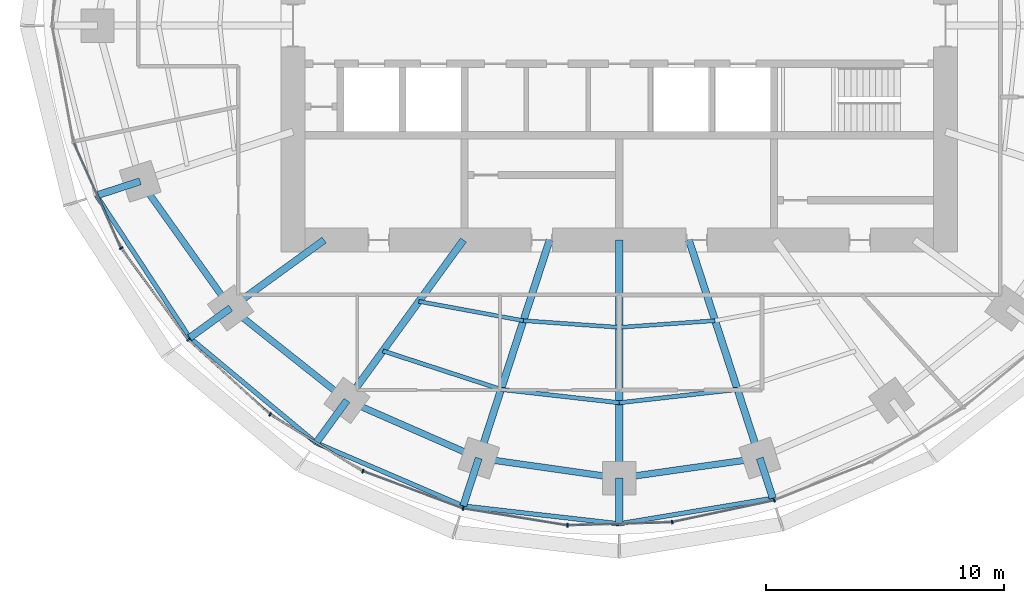
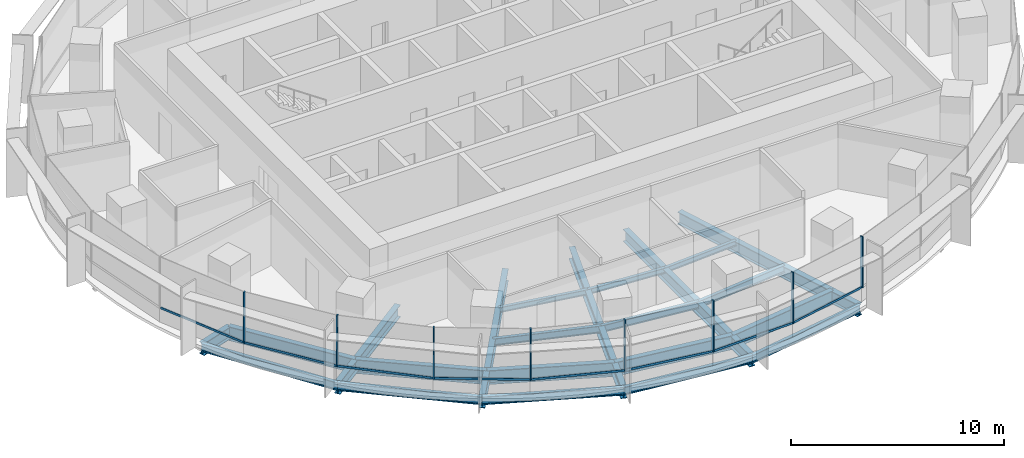
# One storey, part 2 of 14: 27 beams, 16 members, 2 elements without a shape of their own.
"""IFC4 building model written with IfcOpenShell, lengths in metres."""

from ifc_helpers import new_model, si_unit, direction, frame, origin, origin_2d, place, context, subcontext, project, spatial, rectangle, i_section, extrude, material, material_profile, profile_set, type_object, element, aggregate, save


model = new_model("IFC4")

# Units and contexts
model_context = context("Model", 3, precision=1e-05, world=origin(), true_north=direction((0.0, 1.0)))
body_context = subcontext(model_context, "Body", "Model", "MODEL_VIEW")
ifc_project = project(units=[si_unit("LENGTHUNIT", "METRE"), si_unit("AREAUNIT", "SQUARE_METRE"), si_unit("VOLUMEUNIT", "CUBIC_METRE"), si_unit("PLANEANGLEUNIT", "RADIAN"), si_unit("MASSUNIT", "GRAM", prefix="KILO")], contexts=[model_context])

# Site, building, storey
site_placement = place(None, origin())
site = spatial("IfcSite", under=ifc_project, at=site_placement, CompositionType="ELEMENT")
building_placement = place(site_placement, origin())
building = spatial("IfcBuilding", under=site, at=building_placement, Name="Marramba Exchange Tower", CompositionType="ELEMENT")
storey_placement = place(building_placement, frame((0.0, 0.0, 199.39990234375)))
storey = spatial("IfcBuildingStorey", under=building, at=storey_placement, Name="L48", CompositionType="ELEMENT", Elevation=199.39990234375)

# Beams
ifc_material_1 = material(Name="Steel AS/NZS 3679.2 grade 300", Category="steel")
ifc_material_profile_1 = material_profile(ifc_material_1, i_section(OverallWidth=0.300048828125, OverallDepth=0.699951171875, WebThickness=0.010009765625, FlangeThickness=0.031982421875, at=origin_2d()), Name="700WB173")
ifc_profile_set_1 = profile_set([ifc_material_profile_1], Name="Steel AS/NZS 3679.2 grade 300")
beam_type_1 = type_object("IfcBeamType", Name="Cantilever girder 700WB173", PredefinedType="BEAM", material=ifc_profile_set_1)
beam_1_placement = place(storey_placement, frame((-20.109375, -6.533935546875, -0.510009765625), z_axis=(-0.951071238541, -0.308971680287, 0.0), x_axis=(0.308971680287, -0.951071238541, 0.0)))
element("IfcBeam", 1, at=beam_1_placement, inside=storey, type_object=beam_type_1, Name="Cantilever girder L48 TC12", PredefinedType="BEAM", context=body_context, shape_type="SweptSolid", body=[
    extrude(i_section(OverallWidth=0.300048828125, OverallDepth=0.699951171875, WebThickness=0.010009765625, FlangeThickness=0.031982421875, at=origin_2d()), origin(), (0.0, 0.0, 1.0), 1.930419921875),
])
beam_2_placement = place(storey_placement, frame((-16.3154296875, -11.853759765625, -0.510009765625), z_axis=(-0.808969966943, -0.587849974555, 0.0), x_axis=(0.587849974555, -0.808969966943, 0.0)))
element("IfcBeam", 2, at=beam_2_placement, inside=storey, type_object=beam_type_1, Name="Cantilever girder L48 TC13", PredefinedType="BEAM", context=body_context, shape_type="SweptSolid", body=[
    extrude(i_section(OverallWidth=0.300048828125, OverallDepth=0.699951171875, WebThickness=0.010009765625, FlangeThickness=0.031982421875, at=origin_2d()), origin(), (0.0, 0.0, 1.0), 2.12109375),
])
beam_3_placement = place(storey_placement, frame((-11.430419921875, -15.732666015625, -0.510009765625), z_axis=(-0.587789596657, -0.809013837992, 0.0), x_axis=(0.809013837992, -0.587789596657, 0.0)))
element("IfcBeam", 3, at=beam_3_placement, inside=storey, type_object=beam_type_1, Name="Cantilever girder L48 TC14", PredefinedType="BEAM", context=body_context, shape_type="SweptSolid", body=[
    extrude(i_section(OverallWidth=0.300048828125, OverallDepth=0.699951171875, WebThickness=0.010009765625, FlangeThickness=0.031982421875, at=origin_2d()), origin(), (0.0, 0.0, 1.0), 2.203857421875),
])
beam_4_placement = place(storey_placement, frame((-5.899658203125, -18.156982421875, -0.510009765625), z_axis=(-0.308971068529, -0.951071437281, 0.0), x_axis=(0.951071437281, -0.308971068529, 0.0)))
element("IfcBeam", 4, at=beam_4_placement, inside=storey, type_object=beam_type_1, Name="Cantilever girder L48 TC15", PredefinedType="BEAM", context=body_context, shape_type="SweptSolid", body=[
    extrude(i_section(OverallWidth=0.300048828125, OverallDepth=0.699951171875, WebThickness=0.010009765625, FlangeThickness=0.031982421875, at=origin_2d()), origin(), (0.0, 0.0, 1.0), 2.112060546875),
])
beam_5_placement = place(storey_placement, frame((0.0, -18.99609375, -0.510009765625), z_axis=(0.0, -1.0, 0.0), x_axis=(1.0, 0.0, 0.0)))
element("IfcBeam", 5, at=beam_5_placement, inside=storey, type_object=beam_type_1, Name="Cantilever girder L48 TC16", PredefinedType="BEAM", context=body_context, shape_type="SweptSolid", body=[
    extrude(i_section(OverallWidth=0.300048828125, OverallDepth=0.699951171875, WebThickness=0.010009765625, FlangeThickness=0.031982421875, at=origin_2d()), origin(), (0.0, 0.0, 1.0), 1.917724609375),
])
beam_6_placement = place(storey_placement, frame((5.899658203125, -18.156982421875, -0.510009765625), z_axis=(0.308926813415, -0.951085813138, 0.0), x_axis=(0.951085813138, 0.308926813415, 0.0)))
element("IfcBeam", 6, at=beam_6_placement, inside=storey, type_object=beam_type_1, Name="Cantilever girder L48 TC17", PredefinedType="BEAM", context=body_context, shape_type="SweptSolid", body=[
    extrude(i_section(OverallWidth=0.300048828125, OverallDepth=0.699951171875, WebThickness=0.010009765625, FlangeThickness=0.031982421875, at=origin_2d()), origin(), (0.0, 0.0, 1.0), 1.767822265625),
])
ifc_material_2 = material(Name="Steel AS/NZS 3679.1 grade 300", Category="steel")
ifc_material_profile_2 = material_profile(ifc_material_2, i_section(OverallWidth=0.166015625, OverallDepth=0.306884765625, WebThickness=0.006591796875, FlangeThickness=0.01171875, FilletRadius=0.011474609375, at=origin_2d()), Name="310UB46.2")
ifc_profile_set_2 = profile_set([ifc_material_profile_2], Name="Steel AS/NZS 3679.1 grade 300")
beam_type_2 = type_object("IfcBeamType", Name="Floor joist 310UB46.2", PredefinedType="JOIST", material=ifc_profile_set_2)
beam_7_placement = place(storey_placement, frame((-8.41162109375, -11.57763671875, -0.3134765625), z_axis=(0.983455754421, -0.181148500119, 0.0), x_axis=(0.181148500119, 0.983455754421, 0.0)))
element("IfcBeam", 7, at=beam_7_placement, inside=storey, type_object=beam_type_2, Name="Joist L48 bay 14 row 1", PredefinedType="JOIST", context=body_context, shape_type="SweptSolid", body=[
    extrude(i_section(OverallWidth=0.166015625, OverallDepth=0.306884765625, WebThickness=0.006591796875, FlangeThickness=0.01171875, FilletRadius=0.011474609375, at=origin_2d()), origin(), (0.0, 0.0, 1.0), 4.4609375),
])
for number, where, z_axis, x_axis, name in (
    (8, (-4.0244140625, -12.3857421875, -0.3134765625), (0.99759625901, -0.069294328838, 0.0), (0.069294328838, 0.99759625901, 0.0), "Joist L48 bay 15 row 1"),
    (9, (0.0, -12.665283203125, -0.3134765625), (0.99759625901, 0.069294328838, 0.0), (-0.069294328838, 0.99759625901, 0.0), "Joist L48 bay 16 row 1"),
):
    element("IfcBeam", number, at=place(storey_placement, frame(where, z_axis=z_axis, x_axis=x_axis)), inside=storey, type_object=beam_type_2, Name=name, PredefinedType="JOIST", context=body_context, shape_type="SweptSolid", body=[
        extrude(i_section(OverallWidth=0.166015625, OverallDepth=0.306884765625, WebThickness=0.006591796875, FlangeThickness=0.01171875, FilletRadius=0.011474609375, at=origin_2d()), origin(), (0.0, 0.0, 1.0), 4.0341796875),
    ])
ifc_material_profile_3 = material_profile(ifc_material_2, i_section(OverallWidth=0.177978515625, OverallDepth=0.406005859375, WebThickness=0.0078125, FlangeThickness=0.0126953125, FilletRadius=0.011474609375, at=origin_2d()), Name="410UB59.7")
ifc_profile_set_3 = profile_set([ifc_material_profile_3], Name="Steel AS/NZS 3679.1 grade 300")
beam_type_3 = type_object("IfcBeamType", Name="Floor joist 410UB59.7", PredefinedType="JOIST", material=ifc_profile_set_3)
beam_8_placement = place(storey_placement, frame((-9.9208984375, -13.655029296875, -0.36279296875), z_axis=(0.950764024931, -0.309915744834, 0.0), x_axis=(0.309915744834, 0.950764024931, 0.0)))
element("IfcBeam", 10, at=beam_8_placement, inside=storey, type_object=beam_type_3, Name="Joist L48 bay 14 row 2", PredefinedType="JOIST", context=body_context, shape_type="SweptSolid", body=[
    extrude(i_section(OverallWidth=0.177978515625, OverallDepth=0.406005859375, WebThickness=0.0078125, FlangeThickness=0.0126953125, FilletRadius=0.011474609375, at=origin_2d()), origin(), (0.0, 0.0, 1.0), 5.2158203125),
])
for number, where, z_axis, x_axis, name in (
    (11, (-4.9619140625, -15.271484375, -0.36279296875), (0.993712018573, -0.111966174106, 0.0), (0.111966174106, 0.993712018573, 0.0), "Joist L48 bay 15 row 2"),
    (12, (0.0, -15.83056640625, -0.36279296875), (0.993712018573, 0.111966174106, 0.0), (-0.111966174106, 0.993712018573, 0.0), "Joist L48 bay 16 row 2"),
):
    element("IfcBeam", number, at=place(storey_placement, frame(where, z_axis=z_axis, x_axis=x_axis)), inside=storey, type_object=beam_type_3, Name=name, PredefinedType="JOIST", context=body_context, shape_type="SweptSolid", body=[
        extrude(i_section(OverallWidth=0.177978515625, OverallDepth=0.406005859375, WebThickness=0.0078125, FlangeThickness=0.0126953125, FilletRadius=0.011474609375, at=origin_2d()), origin(), (0.0, 0.0, 1.0), 4.993408203125),
    ])

# Curtain wall, members
ifc_material_3 = material(Name="Aluminium framing, bronze anodised", Category="aluminium")
curtain_wall_type = type_object("IfcCurtainWallType", Name="Office ribbon curtain wall", PredefinedType="USERDEFINED", material=ifc_material_3)
curtain_wall_1_placement = place(storey_placement, origin())
curtain_wall_1 = element("IfcCurtainWall", 13, at=curtain_wall_1_placement, inside=storey, type_object=curtain_wall_type, Name="Curtain wall CW4 L48 F16-F20", ObjectType="RIBBON CURTAIN WALL", PredefinedType="USERDEFINED")
ifc_material_4 = material(Name="Aluminium mullion, bronze anodised", Category="aluminium")
ifc_material_profile_4 = material_profile(ifc_material_4, rectangle(XDim=0.159912109375, YDim=0.06005859375, at=origin_2d()), Name="CW4 mullion 60x160")
ifc_profile_set_4 = profile_set([ifc_material_profile_4], Name="Aluminium mullion, bronze anodised")
member_type_1 = type_object("IfcMemberType", Name="Office ribbon curtain wall mullion", PredefinedType="MULLION", material=ifc_profile_set_4)
member_1_placement = place(storey_placement, frame((-20.910400390625, -9.342041015625, 0.800048828125), z_axis=(0.0, 0.0, 1.0), x_axis=(0.806508054547, 0.591223103363, 0.0)))
member_1 = element("IfcMember", 14, at=member_1_placement, type_object=member_type_1, Name="CW4 mullion 1", PredefinedType="MULLION", context=body_context, shape_type="SweptSolid", body=[
    extrude(rectangle(XDim=0.159912109375, YDim=0.06005859375, at=origin_2d()), origin(), (0.0, 0.0, 1.0), 2.93994140625),
])
member_2_placement = place(storey_placement, frame((-18.090087890625, -13.179443359375, 0.800048828125), z_axis=(0.0, 0.0, 1.0), x_axis=(0.67567103474, 0.737203264245, 0.0)))
member_2 = element("IfcMember", 15, at=member_2_placement, type_object=member_type_1, Name="CW4 mullion 1", PredefinedType="MULLION", context=body_context, shape_type="SweptSolid", body=[
    extrude(rectangle(XDim=0.159912109375, YDim=0.06005859375, at=origin_2d()), origin(), (0.0, 0.0, 1.0), 2.93994140625),
])
member_3_placement = place(storey_placement, frame((-14.655029296875, -16.320068359375, 0.800048828125), z_axis=(0.0, 0.0, 1.0), x_axis=(0.52305160869, 0.85230101176, 0.0)))
member_3 = element("IfcMember", 16, at=member_3_placement, type_object=member_type_1, Name="CW4 mullion 1", PredefinedType="MULLION", context=body_context, shape_type="SweptSolid", body=[
    extrude(rectangle(XDim=0.159912109375, YDim=0.06005859375, at=origin_2d()), origin(), (0.0, 0.0, 1.0), 2.93994140625),
])

curtain_wall_2_placement = place(storey_placement, origin())
curtain_wall_2 = element("IfcCurtainWall", 17, at=curtain_wall_2_placement, inside=storey, type_object=curtain_wall_type, Name="Curtain wall CW4 L48 F21-F25", ObjectType="RIBBON CURTAIN WALL", PredefinedType="USERDEFINED")
member_4_placement = place(storey_placement, frame((-10.76318359375, -18.70166015625, 0.800048828125), z_axis=(0.0, 0.0, 1.0), x_axis=(0.349459197687, 0.936951583142, 0.0)))
member_4 = element("IfcMember", 18, at=member_4_placement, type_object=member_type_1, Name="CW4 mullion 1", PredefinedType="MULLION", context=body_context, shape_type="SweptSolid", body=[
    extrude(rectangle(XDim=0.159912109375, YDim=0.06005859375, at=origin_2d()), origin(), (0.0, 0.0, 1.0), 2.93994140625),
])
member_5_placement = place(storey_placement, frame((-6.553466796875, -20.265625, 0.800048828125), z_axis=(0.0, 0.0, 1.0), x_axis=(0.161145726194, 0.986930623159, 0.0)))
member_5 = element("IfcMember", 19, at=member_5_placement, type_object=member_type_1, Name="CW4 mullion 1", PredefinedType="MULLION", context=body_context, shape_type="SweptSolid", body=[
    extrude(rectangle(XDim=0.159912109375, YDim=0.06005859375, at=origin_2d()), origin(), (0.0, 0.0, 1.0), 2.93994140625),
])
member_6_placement = place(storey_placement, frame((-2.174560546875, -20.974853515625, 0.800048828125), z_axis=(0.0, 0.0, 1.0), x_axis=(-0.029393451762, 0.99956791915, 0.0)))
member_6 = element("IfcMember", 20, at=member_6_placement, type_object=member_type_1, Name="CW4 mullion 1", PredefinedType="MULLION", context=body_context, shape_type="SweptSolid", body=[
    extrude(rectangle(XDim=0.159912109375, YDim=0.06005859375, at=origin_2d()), origin(), (0.0, 0.0, 1.0), 2.93994140625),
])
member_7_placement = place(storey_placement, frame((2.220458984375, -20.840087890625, 0.800048828125), z_axis=(0.0, 0.0, 1.0), x_axis=(-0.208332456608, 0.978058069607, 0.0)))
member_7 = element("IfcMember", 21, at=member_7_placement, type_object=member_type_1, Name="CW4 mullion 1", PredefinedType="MULLION", context=body_context, shape_type="SweptSolid", body=[
    extrude(rectangle(XDim=0.159912109375, YDim=0.06005859375, at=origin_2d()), origin(), (0.0, 0.0, 1.0), 2.93994140625),
])
member_8_placement = place(storey_placement, frame((6.504638671875, -19.922607421875, 0.800048828125), z_axis=(0.0, 0.0, 1.0), x_axis=(-0.367374724195, 0.93007301435, 0.0)))
member_8 = element("IfcMember", 22, at=member_8_placement, type_object=member_type_1, Name="CW4 mullion 1", PredefinedType="MULLION", context=body_context, shape_type="SweptSolid", body=[
    extrude(rectangle(XDim=0.159912109375, YDim=0.06005859375, at=origin_2d()), origin(), (0.0, 0.0, 1.0), 2.93994140625),
])

# Member
ifc_material_5 = material(Name="Aluminium transom, bronze anodised", Category="aluminium")
ifc_material_profile_5 = material_profile(ifc_material_5, rectangle(XDim=0.06005859375, YDim=0.1201171875, at=origin_2d()), Name="CW4 transom 60x120")
ifc_profile_set_5 = profile_set([ifc_material_profile_5], Name="Aluminium transom, bronze anodised")
member_type_2 = type_object("IfcMemberType", Name="Office ribbon curtain wall transom", PredefinedType="USERDEFINED", material=ifc_profile_set_5)
member_9_placement = place(storey_placement, frame((-22.888671875, -4.925048828125, 0.830078125), z_axis=(0.407541263131, -0.913186792965, 0.0), x_axis=(0.913186792965, 0.407541263131, 0.0)))
member_9 = element("IfcMember", 23, at=member_9_placement, type_object=member_type_2, Name="CW4 sill transom", ObjectType="TRANSOM", PredefinedType="USERDEFINED", context=body_context, shape_type="SweptSolid", body=[
    extrude(rectangle(XDim=0.06005859375, YDim=0.1201171875, at=origin_2d()), origin(), (0.0, 0.0, 1.0), 4.810546875),
])

member_10_placement = place(storey_placement, frame((-20.892578125, -9.3662109375, 0.830078125), z_axis=(0.591226373184, -0.806505657545, 0.0), x_axis=(0.806505657545, 0.591226373184, 0.0)))
member_10 = element("IfcMember", 24, at=member_10_placement, type_object=member_type_2, Name="CW4 sill transom", ObjectType="TRANSOM", PredefinedType="USERDEFINED", context=body_context, shape_type="SweptSolid", body=[
    extrude(rectangle(XDim=0.06005859375, YDim=0.1201171875, at=origin_2d()), origin(), (0.0, 0.0, 1.0), 4.702880859375),
])

member_11_placement = place(storey_placement, frame((-18.06787109375, -13.19970703125, 0.830078125), z_axis=(0.737176195283, -0.675700567639, 0.0), x_axis=(0.675700567639, 0.737176195283, 0.0)))
member_11 = element("IfcMember", 25, at=member_11_placement, type_object=member_type_2, Name="CW4 sill transom", ObjectType="TRANSOM", PredefinedType="USERDEFINED", context=body_context, shape_type="SweptSolid", body=[
    extrude(rectangle(XDim=0.06005859375, YDim=0.1201171875, at=origin_2d()), origin(), (0.0, 0.0, 1.0), 4.5947265625),
])

member_12_placement = place(storey_placement, frame((-14.62939453125, -16.335693359375, 0.830078125), z_axis=(0.852298011003, -0.523056498325, 0.0), x_axis=(0.523056498325, 0.852298011003, 0.0)))
member_12 = element("IfcMember", 26, at=member_12_placement, type_object=member_type_2, Name="CW4 sill transom", ObjectType="TRANSOM", PredefinedType="USERDEFINED", context=body_context, shape_type="SweptSolid", body=[
    extrude(rectangle(XDim=0.06005859375, YDim=0.1201171875, at=origin_2d()), origin(), (0.0, 0.0, 1.0), 4.503173828125),
])

aggregate(curtain_wall_1, [member_9, member_1, member_10, member_2, member_11, member_3, member_12])

member_13_placement = place(storey_placement, frame((-10.735107421875, -18.712158203125, 0.830078125), z_axis=(0.936954830677, -0.349450490444, 0.0), x_axis=(0.349450490444, 0.936954830677, 0.0)))
member_13 = element("IfcMember", 27, at=member_13_placement, type_object=member_type_2, Name="CW4 sill transom", ObjectType="TRANSOM", PredefinedType="USERDEFINED", context=body_context, shape_type="SweptSolid", body=[
    extrude(rectangle(XDim=0.06005859375, YDim=0.1201171875, at=origin_2d()), origin(), (0.0, 0.0, 1.0), 4.431396484375),
])

member_14_placement = place(storey_placement, frame((-6.52392578125, -20.2705078125, 0.830078125), z_axis=(0.986937225488, -0.161105285282, 0.0), x_axis=(0.161105285282, 0.986937225488, 0.0)))
member_14 = element("IfcMember", 28, at=member_14_placement, type_object=member_type_2, Name="CW4 sill transom", ObjectType="TRANSOM", PredefinedType="USERDEFINED", context=body_context, shape_type="SweptSolid", body=[
    extrude(rectangle(XDim=0.06005859375, YDim=0.1201171875, at=origin_2d()), origin(), (0.0, 0.0, 1.0), 4.37646484375),
])

member_15_placement = place(storey_placement, frame((-2.144775390625, -20.973876953125, 0.830078125), z_axis=(0.999568338005, 0.029379204529, 0.0), x_axis=(-0.029379204529, 0.999568338005, 0.0)))
member_15 = element("IfcMember", 29, at=member_15_placement, type_object=member_type_2, Name="CW4 sill transom", ObjectType="TRANSOM", PredefinedType="USERDEFINED", context=body_context, shape_type="SweptSolid", body=[
    extrude(rectangle(XDim=0.06005859375, YDim=0.1201171875, at=origin_2d()), origin(), (0.0, 0.0, 1.0), 4.337890625),
])

member_16_placement = place(storey_placement, frame((2.249755859375, -20.833984375, 0.830078125), z_axis=(0.978057951839, 0.208333009494, 0.0), x_axis=(-0.208333009494, 0.978057951839, 0.0)))
member_16 = element("IfcMember", 30, at=member_16_placement, type_object=member_type_2, Name="CW4 sill transom", ObjectType="TRANSOM", PredefinedType="USERDEFINED", context=body_context, shape_type="SweptSolid", body=[
    extrude(rectangle(XDim=0.06005859375, YDim=0.1201171875, at=origin_2d()), origin(), (0.0, 0.0, 1.0), 4.32177734375),
])

aggregate(curtain_wall_2, [member_4, member_13, member_5, member_14, member_6, member_15, member_7, member_16, member_8])

# Beams
ifc_material_profile_6 = material_profile(ifc_material_1, i_section(OverallWidth=0.300048828125, OverallDepth=0.699951171875, WebThickness=0.010009765625, FlangeThickness=0.031982421875, at=origin_2d()), Name="700WB173")
ifc_profile_set_6 = profile_set([ifc_material_profile_6], Name="Steel AS/NZS 3679.2 grade 300")
beam_type_4 = type_object("IfcBeamType", Name="Radial girder 700WB173", PredefinedType="BEAM", material=ifc_profile_set_6)
beam_9_placement = place(storey_placement, frame((-12.387451171875, -9.0, -0.510009765625), z_axis=(-0.809025189606, -0.58777397236, 0.0), x_axis=(0.58777397236, -0.809025189606, 0.0)))
element("IfcBeam", 31, at=beam_9_placement, inside=storey, type_object=beam_type_4, Name="Radial girder L48 TC13", PredefinedType="BEAM", context=body_context, shape_type="SweptSolid", body=[
    extrude(i_section(OverallWidth=0.300048828125, OverallDepth=0.699951171875, WebThickness=0.010009765625, FlangeThickness=0.031982421875, at=origin_2d()), origin(), (0.0, 0.0, 1.0), 4.855224609375),
])
beam_10_placement = place(storey_placement, frame((-6.538818359375, -9.0, -0.510009765625), z_axis=(-0.587787877172, -0.809015087282, 0.0), x_axis=(0.809015087282, -0.587787877172, 0.0)))
element("IfcBeam", 32, at=beam_10_placement, inside=storey, type_object=beam_type_4, Name="Radial girder L48 TC14", PredefinedType="BEAM", context=body_context, shape_type="SweptSolid", body=[
    extrude(i_section(OverallWidth=0.300048828125, OverallDepth=0.699951171875, WebThickness=0.010009765625, FlangeThickness=0.031982421875, at=origin_2d()), origin(), (0.0, 0.0, 1.0), 8.322021484375),
])
beam_11_placement = place(storey_placement, frame((-2.92431640625, -9.0, -0.510009765625), z_axis=(-0.309022428985, -0.951054750466, 0.0), x_axis=(0.951054750466, -0.309022428985, 0.0)))
element("IfcBeam", 33, at=beam_11_placement, inside=storey, type_object=beam_type_4, Name="Radial girder L48 TC15", PredefinedType="BEAM", context=body_context, shape_type="SweptSolid", body=[
    extrude(i_section(OverallWidth=0.300048828125, OverallDepth=0.699951171875, WebThickness=0.010009765625, FlangeThickness=0.031982421875, at=origin_2d()), origin(), (0.0, 0.0, 1.0), 9.628173828125),
])
beam_12_placement = place(storey_placement, frame((0.0, -9.0, -0.510009765625), z_axis=(0.0, -1.0, 0.0), x_axis=(1.0, 0.0, 0.0)))
element("IfcBeam", 34, at=beam_12_placement, inside=storey, type_object=beam_type_4, Name="Radial girder L48 TC16", PredefinedType="BEAM", context=body_context, shape_type="SweptSolid", body=[
    extrude(i_section(OverallWidth=0.300048828125, OverallDepth=0.699951171875, WebThickness=0.010009765625, FlangeThickness=0.031982421875, at=origin_2d()), origin(), (0.0, 0.0, 1.0), 9.99609375),
])
beam_13_placement = place(storey_placement, frame((2.92431640625, -9.0, -0.510009765625), z_axis=(0.309022428985, -0.951054750466, 0.0), x_axis=(0.951054750466, 0.309022428985, 0.0)))
element("IfcBeam", 35, at=beam_13_placement, inside=storey, type_object=beam_type_4, Name="Radial girder L48 TC17", PredefinedType="BEAM", context=body_context, shape_type="SweptSolid", body=[
    extrude(i_section(OverallWidth=0.300048828125, OverallDepth=0.699951171875, WebThickness=0.010009765625, FlangeThickness=0.031982421875, at=origin_2d()), origin(), (0.0, 0.0, 1.0), 9.628173828125),
])
ifc_material_profile_7 = material_profile(ifc_material_1, i_section(OverallWidth=0.27490234375, OverallDepth=0.800048828125, WebThickness=0.010009765625, FlangeThickness=0.02490234375, at=origin_2d()), Name="800WB168")
ifc_profile_set_7 = profile_set([ifc_material_profile_7], Name="Steel AS/NZS 3679.2 grade 300")
beam_type_5 = type_object("IfcBeamType", Name="Ring beam 800WB168", PredefinedType="SPANDREL", material=ifc_profile_set_7)
beam_14_placement = place(storey_placement, frame((-20.109375, -6.533935546875, -0.559814453125), z_axis=(0.580637181111, -0.814162430914, 0.0), x_axis=(0.814162430914, 0.580637181111, 0.0)))
element("IfcBeam", 36, at=beam_14_placement, inside=storey, type_object=beam_type_5, Name="Ring beam L48 TC12-TC13", PredefinedType="SPANDREL", context=body_context, shape_type="SweptSolid", body=[
    extrude(i_section(OverallWidth=0.27490234375, OverallDepth=0.800048828125, WebThickness=0.010009765625, FlangeThickness=0.02490234375, at=origin_2d()), origin(), (0.0, 0.0, 1.0), 6.5341796875),
])
beam_15_placement = place(storey_placement, frame((-16.3154296875, -11.853759765625, -0.559814453125), z_axis=(0.783139438128, -0.621846138887, 0.0), x_axis=(0.621846138887, 0.783139438128, 0.0)))
element("IfcBeam", 37, at=beam_15_placement, inside=storey, type_object=beam_type_5, Name="Ring beam L48 TC13-TC14", PredefinedType="SPANDREL", context=body_context, shape_type="SweptSolid", body=[
    extrude(i_section(OverallWidth=0.27490234375, OverallDepth=0.800048828125, WebThickness=0.010009765625, FlangeThickness=0.02490234375, at=origin_2d()), origin(), (0.0, 0.0, 1.0), 6.23779296875),
])
beam_16_placement = place(storey_placement, frame((-11.430419921875, -15.732666015625, -0.559814453125), z_axis=(0.915876892158, -0.4014592363, 0.0), x_axis=(0.4014592363, 0.915876892158, 0.0)))
element("IfcBeam", 38, at=beam_16_placement, inside=storey, type_object=beam_type_5, Name="Ring beam L48 TC14-TC15", PredefinedType="SPANDREL", context=body_context, shape_type="SweptSolid", body=[
    extrude(i_section(OverallWidth=0.27490234375, OverallDepth=0.800048828125, WebThickness=0.010009765625, FlangeThickness=0.02490234375, at=origin_2d()), origin(), (0.0, 0.0, 1.0), 6.038818359375),
])
for number, where, z_axis, x_axis, name in (
    (39, (-5.899658203125, -18.156982421875, -0.559814453125), (0.990036163016, -0.140813337152, 0.0), (0.140813337152, 0.990036163016, 0.0), "Ring beam L48 TC15-TC16"),
    (40, (0.0, -18.99609375, -0.559814453125), (0.990036163016, 0.140813337152, 0.0), (-0.140813337152, 0.990036163016, 0.0), "Ring beam L48 TC16-TC17"),
):
    element("IfcBeam", number, at=place(storey_placement, frame(where, z_axis=z_axis, x_axis=x_axis)), inside=storey, type_object=beam_type_5, Name=name, PredefinedType="SPANDREL", context=body_context, shape_type="SweptSolid", body=[
        extrude(i_section(OverallWidth=0.27490234375, OverallDepth=0.800048828125, WebThickness=0.010009765625, FlangeThickness=0.02490234375, at=origin_2d()), origin(), (0.0, 0.0, 1.0), 5.958984375),
    ])
ifc_material_profile_8 = material_profile(ifc_material_2, i_section(OverallWidth=0.19091796875, OverallDepth=0.4599609375, WebThickness=0.010009765625, FlangeThickness=0.01611328125, FilletRadius=0.011474609375, at=origin_2d()), Name="460UB82.1")
ifc_profile_set_8 = profile_set([ifc_material_profile_8], Name="Steel AS/NZS 3679.1 grade 300")
beam_type_6 = type_object("IfcBeamType", Name="Slab edge beam 460UB82.1", PredefinedType="SPANDREL", material=ifc_profile_set_8)
beam_17_placement = place(storey_placement, frame((-21.9453125, -7.13037109375, -0.389892578125), z_axis=(0.548275412052, -0.83629783722, 0.0), x_axis=(0.83629783722, 0.548275412052, 0.0)))
element("IfcBeam", 41, at=beam_17_placement, inside=storey, type_object=beam_type_6, Name="Slab edge beam L48 TC12-TC13", PredefinedType="SPANDREL", context=body_context, shape_type="SweptSolid", body=[
    extrude(i_section(OverallWidth=0.19091796875, OverallDepth=0.4599609375, WebThickness=0.010009765625, FlangeThickness=0.01611328125, FilletRadius=0.011474609375, at=origin_2d()), origin(), (0.0, 0.0, 1.0), 7.138916015625),
])
beam_18_placement = place(storey_placement, frame((-18.03125, -13.1005859375, -0.389892578125), z_axis=(0.768658895231, -0.639658895649, 0.0), x_axis=(0.639658895649, 0.768658895231, 0.0)))
element("IfcBeam", 42, at=beam_18_placement, inside=storey, type_object=beam_type_6, Name="Slab edge beam L48 TC13-TC14", PredefinedType="SPANDREL", context=body_context, shape_type="SweptSolid", body=[
    extrude(i_section(OverallWidth=0.19091796875, OverallDepth=0.4599609375, WebThickness=0.010009765625, FlangeThickness=0.01611328125, FilletRadius=0.011474609375, at=origin_2d()), origin(), (0.0, 0.0, 1.0), 6.902099609375),
])
beam_19_placement = place(storey_placement, frame((-12.725830078125, -17.515625, -0.389892578125), z_axis=(0.9189117964, -0.394463065999, 0.0), x_axis=(0.394463065999, 0.9189117964, 0.0)))
element("IfcBeam", 43, at=beam_19_placement, inside=storey, type_object=beam_type_6, Name="Slab edge beam L48 TC14-TC15", PredefinedType="SPANDREL", context=body_context, shape_type="SweptSolid", body=[
    extrude(i_section(OverallWidth=0.19091796875, OverallDepth=0.4599609375, WebThickness=0.010009765625, FlangeThickness=0.01611328125, FilletRadius=0.011474609375, at=origin_2d()), origin(), (0.0, 0.0, 1.0), 6.71826171875),
])
beam_20_placement = place(storey_placement, frame((-6.55224609375, -20.165771484375, -0.389892578125), z_axis=(0.993546030009, -0.113429653325, 0.0), x_axis=(0.113429653325, 0.993546030009, 0.0)))
element("IfcBeam", 44, at=beam_20_placement, inside=storey, type_object=beam_type_6, Name="Slab edge beam L48 TC15-TC16", PredefinedType="SPANDREL", context=body_context, shape_type="SweptSolid", body=[
    extrude(i_section(OverallWidth=0.19091796875, OverallDepth=0.4599609375, WebThickness=0.010009765625, FlangeThickness=0.01611328125, FilletRadius=0.011474609375, at=origin_2d()), origin(), (0.0, 0.0, 1.0), 6.5947265625),
])
beam_21_placement = place(storey_placement, frame((0.0, -20.913818359375, -0.389892578125), z_axis=(0.986365637189, 0.164568617219, 0.0), x_axis=(-0.164568617219, 0.986365637189, 0.0)))
element("IfcBeam", 45, at=beam_21_placement, inside=storey, type_object=beam_type_6, Name="Slab edge beam L48 TC16-TC17", PredefinedType="SPANDREL", context=body_context, shape_type="SweptSolid", body=[
    extrude(i_section(OverallWidth=0.19091796875, OverallDepth=0.4599609375, WebThickness=0.010009765625, FlangeThickness=0.01611328125, FilletRadius=0.011474609375, at=origin_2d()), origin(), (0.0, 0.0, 1.0), 6.534912109375),
])

save(model, "model.ifc")
